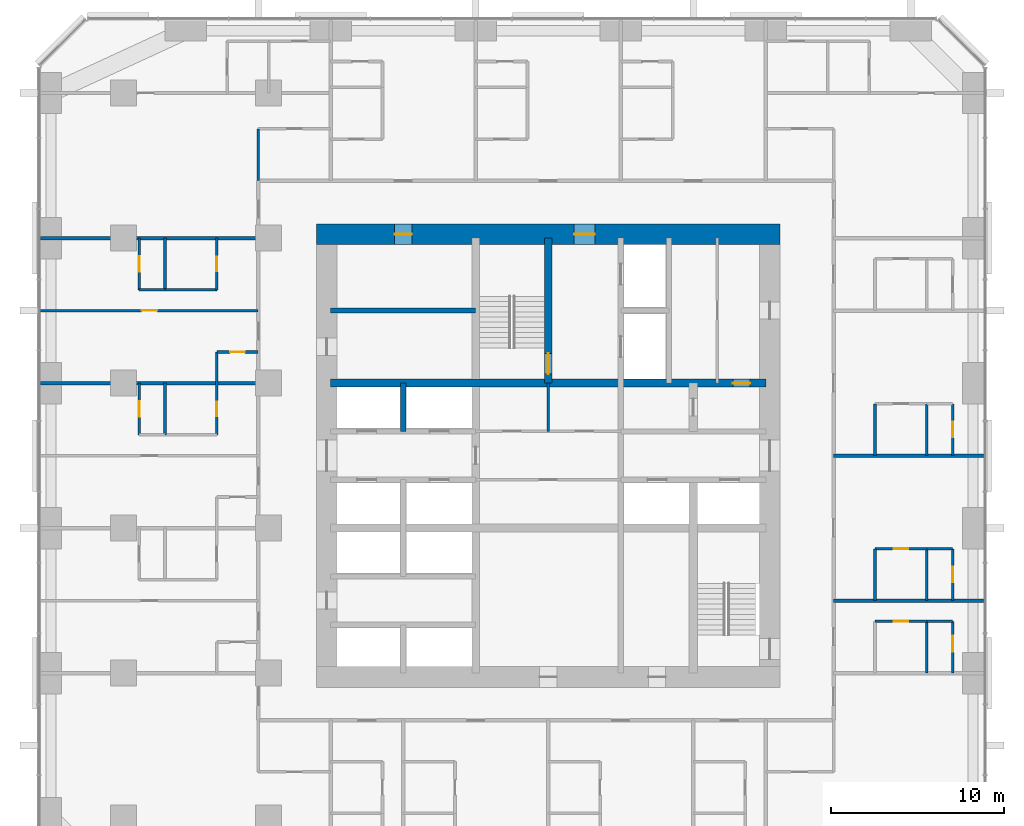
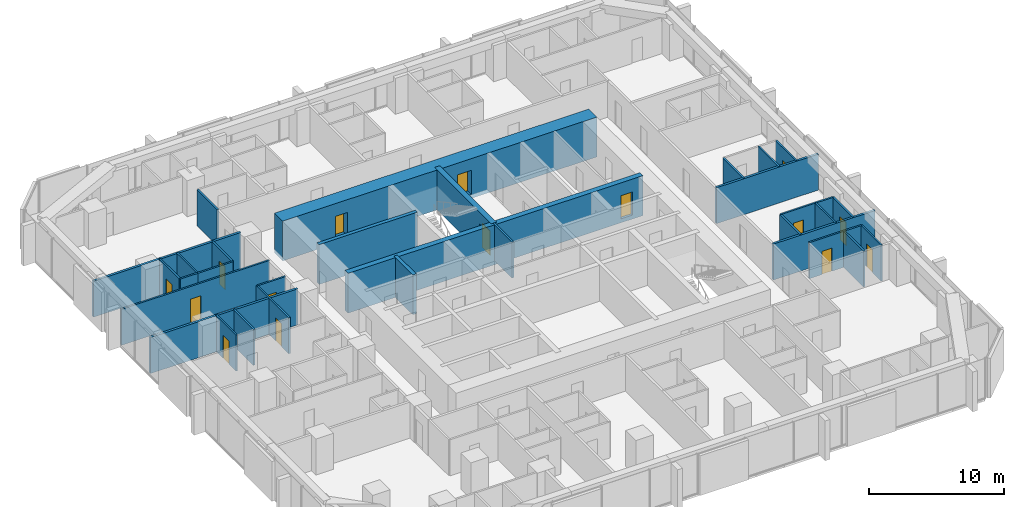
# One storey, part 11 of 14: 33 walls, 15 doors, 15 openings.
"""IFC4 building model written with IfcOpenShell, lengths in metres."""

import ifcopenshell
import ifcopenshell.guid

model = None  # the IFC model being written
_history = None  # IfcOwnerHistory: only IFC2X3 demands one
_inside = {}  # id of a spatial element -> (the spatial element, [elements in it])
_under = {}  # id of a project, library or spatial element -> (it, [spatial elements below it])
_declared = {}  # id of a project -> (the project, [libraries it declares])
_typed = {}  # id of a type object -> (the type object, [elements of that type])
_made_of = {}  # id of a material, layer set ... -> (it, [elements and type objects made of it])


def new_model(schema):
    """Start an empty IFC model of exactly this schema.

    Asked for "IFC4X3", IfcOpenShell would pick the latest addendum, in which some entities
    have other attributes; the version numbers below select the first issue.
    IFC2X3 requires an IfcOwnerHistory on every rooted entity: one is made here for all.
    """
    global model, _history
    if schema == "IFC4X3":
        model = ifcopenshell.file(schema_version=(4, 3, 0, 0))
    else:
        model = ifcopenshell.file(schema=schema)
    _inside.clear()
    _under.clear()
    _declared.clear()
    _typed.clear()
    _made_of.clear()
    _history = None
    if model.schema == "IFC2X3":
        org = make("IfcOrganization", Name="unknown")
        user = make(
            "IfcPersonAndOrganization",
            ThePerson=make("IfcPerson", FamilyName="unknown"),
            TheOrganization=org,
        )
        app = make(
            "IfcApplication",
            ApplicationDeveloper=org,
            Version="unknown",
            ApplicationFullName="unknown",
            ApplicationIdentifier="unknown",
        )
        _history = make(
            "IfcOwnerHistory",
            OwningUser=user,
            OwningApplication=app,
            ChangeAction="ADDED",
            CreationDate=0,
        )
    return model


def make(cls, **values):
    """One entity of the class cls with the attributes given. An attribute that is None is left unset."""
    return model.create_entity(
        cls, **{name: value for name, value in values.items() if value is not None}
    )


def rooted(cls, **values):
    """An entity with a GlobalId (a new one), such as an element, a storey or a relation."""
    return make(cls, GlobalId=ifcopenshell.guid.new(), OwnerHistory=_history, **values)


def si_unit(unit_type, name, prefix=None):
    """IfcSIUnit, for example si_unit("LENGTHUNIT", "METRE", prefix="MILLI")."""
    return make("IfcSIUnit", UnitType=unit_type, Prefix=prefix, Name=name)


def assignment(units):
    """IfcUnitAssignment: the units of a project."""
    return None if units is None else make("IfcUnitAssignment", Units=units)


def point(xyz):
    """IfcCartesianPoint."""
    return None if xyz is None else make("IfcCartesianPoint", Coordinates=xyz)


def direction(xyz):
    """IfcDirection."""
    return None if xyz is None else make("IfcDirection", DirectionRatios=xyz)


def frame(location, z_axis=None, x_axis=None):
    """IfcAxis2Placement3D, a coordinate frame: its origin and axes. An axis left out is left unset."""
    return make(
        "IfcAxis2Placement3D",
        Location=point(location),
        Axis=direction(z_axis),
        RefDirection=direction(x_axis),
    )


def frame_2d(location, x_axis=None):
    """IfcAxis2Placement2D, a coordinate frame in the plane: its origin and x axis."""
    return make(
        "IfcAxis2Placement2D", Location=point(location), RefDirection=direction(x_axis)
    )


def origin():
    """The frame at (0, 0, 0) with its axes left unset."""
    return frame((0.0, 0.0, 0.0))


def place(relative_to, where):
    """IfcLocalPlacement: puts the frame where relative to a parent placement (None: the world)."""
    return make(
        "IfcLocalPlacement", PlacementRelTo=relative_to, RelativePlacement=where
    )


def context(
    kind, dimensions, precision=None, world=None, true_north=None, identifier=None
):
    """IfcGeometricRepresentationContext, for example the 3D "Model" context."""
    return make(
        "IfcGeometricRepresentationContext",
        ContextIdentifier=identifier,
        ContextType=kind,
        CoordinateSpaceDimension=dimensions,
        Precision=precision,
        WorldCoordinateSystem=world,
        TrueNorth=true_north,
    )


def subcontext(parent, identifier, kind, view, scale=None):
    """IfcGeometricRepresentationSubContext, for example "Body" below "Model"."""
    return make(
        "IfcGeometricRepresentationSubContext",
        ContextIdentifier=identifier,
        ContextType=kind,
        ParentContext=parent,
        TargetScale=scale,
        TargetView=view,
    )


def project(units=None, contexts=None):
    """IfcProject with its units and contexts."""
    return rooted(
        "IfcProject",
        Name="project",
        RepresentationContexts=contexts,
        UnitsInContext=assignment(units),
    )


def spatial(cls, under=None, at=None, **own):
    """A site, building, storey or space (cls), placed at a placement, below another one or the project."""
    s = rooted(cls, ObjectPlacement=at, **own)
    if under is not None:
        _under.setdefault(under.id(), (under, []))[1].append(s)
    return s


def profile(cls, at=None, kind="AREA", **sizes):
    """A parametric profile (cls). Its sizes go by their IFC names, for example OverallWidth=200.0."""
    return make(cls, ProfileType=kind, Position=at, **sizes)


def rectangle(**sizes):
    """IfcRectangleProfileDef."""
    return profile("IfcRectangleProfileDef", **sizes)


def extrude(swept, where, along, depth):
    """IfcExtrudedAreaSolid: the profile swept, set in the frame where, extruded along a direction by depth."""
    return make(
        "IfcExtrudedAreaSolid",
        SweptArea=swept,
        Position=where,
        ExtrudedDirection=direction(along),
        Depth=depth,
    )


def shape(context_of_items, identifier, shape_type, items):
    """IfcShapeRepresentation: the items that make up one representation, for example the "Body"."""
    return make(
        "IfcShapeRepresentation",
        ContextOfItems=context_of_items,
        RepresentationIdentifier=identifier,
        RepresentationType=shape_type,
        Items=items,
    )


def material(Name=None, Category=None):
    """IfcMaterial."""
    return make("IfcMaterial", Name=Name, Category=Category)


def layer(
    of_material, thickness, ventilated=None, Name=None, Category=None, Priority=None
):
    """IfcMaterialLayer: one layer of a wall or slab, of a material (None: an air gap)."""
    return make(
        "IfcMaterialLayer",
        Material=of_material,
        LayerThickness=thickness,
        IsVentilated=ventilated,
        Name=Name,
        Category=Category,
        Priority=Priority,
    )


def layer_set(layers, Name=None):
    """IfcMaterialLayerSet."""
    return make("IfcMaterialLayerSet", MaterialLayers=layers, LayerSetName=Name)


def made_of(thing, what):
    """Note that an element or type object is made of a material, layer set ...; save() writes the relation."""
    if what is not None:
        _made_of.setdefault(what.id(), (what, []))[1].append(thing)
    return thing


def type_object(cls, material=None, **own):
    """A type object (cls), such as IfcWallType, which elements share."""
    return made_of(rooted(cls, **own), material)


def element(
    cls,
    number,
    at=None,
    inside=None,
    cuts=None,
    type_object=None,
    material=None,
    context=None,
    identifier="Body",
    shape_type=None,
    held_by="IfcProductDefinitionShape",
    body=None,
    shapes=None,
    **own,
):
    """One element of the class cls, such as IfcWall. Its Tag is "e" and its number.

    at: its placement. inside: the storey or other place that contains it. cuts: it is an
    opening in that element (IfcRelVoidsElement). A single representation is given by context,
    identifier, shape_type and body (its items); several are given by shapes. held_by: the class
    of the entity that holds the representations. save() writes the other relations.
    """
    e = rooted(cls, Tag="e%d" % number, ObjectPlacement=at, **own)
    if body is not None:
        shapes = [shape(context, identifier, shape_type, body)]
    if shapes is not None:
        e.Representation = make(held_by, Representations=shapes)
    if inside is not None:
        _inside.setdefault(inside.id(), (inside, []))[1].append(e)
    if cuts is not None:
        rooted(
            "IfcRelVoidsElement", RelatingBuildingElement=cuts, RelatedOpeningElement=e
        )
    if type_object is not None:
        _typed.setdefault(type_object.id(), (type_object, []))[1].append(e)
    return made_of(e, material)


def fill(opening, filler):
    """IfcRelFillsElement: the door or window that sits in an opening."""
    return rooted(
        "IfcRelFillsElement",
        RelatingOpeningElement=opening,
        RelatedBuildingElement=filler,
    )


def aggregate(whole, parts):
    """IfcRelAggregates: a whole, such as a stair, and the parts it consists of."""
    return rooted("IfcRelAggregates", RelatingObject=whole, RelatedObjects=parts)


def save(model, path):
    """Write the relations noted so far, then the file.

    IfcRelAggregates (storeys below a building ...), IfcRelContainedInSpatialStructure (elements
    in a storey), IfcRelDefinesByType, IfcRelAssociatesMaterial and IfcRelDeclares: one each for
    every whole, place, type object, material and project.
    """
    for whole, parts in _under.values():
        aggregate(whole, parts)
    for where, things in _inside.values():
        rooted(
            "IfcRelContainedInSpatialStructure",
            RelatedElements=things,
            RelatingStructure=where,
        )
    for kind, things in _typed.values():
        rooted("IfcRelDefinesByType", RelatedObjects=things, RelatingType=kind)
    for what, things in _made_of.values():
        rooted("IfcRelAssociatesMaterial", RelatedObjects=things, RelatingMaterial=what)
    for by, libraries in _declared.values():
        rooted("IfcRelDeclares", RelatingContext=by, RelatedDefinitions=libraries)
    model.write(path)


model = new_model("IFC4")

# Units and contexts
model_context = context("Model", 3, precision=1e-05, world=origin(), true_north=direction((0.0, 1.0)))
body_context = subcontext(model_context, "Body", "Model", "MODEL_VIEW")
ifc_project = project(units=[si_unit("LENGTHUNIT", "METRE"), si_unit("AREAUNIT", "SQUARE_METRE"), si_unit("VOLUMEUNIT", "CUBIC_METRE"), si_unit("PLANEANGLEUNIT", "RADIAN"), si_unit("MASSUNIT", "GRAM", prefix="KILO")], contexts=[model_context])

# Site, building, storey
site_placement = place(None, origin())
site = spatial("IfcSite", under=ifc_project, at=site_placement, CompositionType="ELEMENT")
building_placement = place(site_placement, origin())
building = spatial("IfcBuilding", under=site, at=building_placement, Name="Dunama Terrace Hotel", CompositionType="ELEMENT")
storey_placement = place(building_placement, frame((0.0, 0.0, 104.39990234375)))
storey = spatial("IfcBuildingStorey", under=building, at=storey_placement, Name="L26", CompositionType="ELEMENT", Elevation=104.39990234375)

# Wall, opening, door
ifc_material_1 = material(Name="Gypsum board partition", Category="masonry")
ifc_layer_1 = layer(ifc_material_1, 0.14990234375)
ifc_layer_set_1 = layer_set([ifc_layer_1], Name="Bathroom partition 150")
wall_type_1 = type_object("IfcWallType", Name="Bathroom partition 150", PredefinedType="PARTITIONING", material=ifc_layer_set_1)
wall_1_placement = place(storey_placement, frame((10.199951171875, 30.60009765625, 0.0), z_axis=(0.0, 0.0, 1.0), x_axis=(0.0, 1.0, 0.0)))
wall_1 = element("IfcWall", 1, at=wall_1_placement, inside=storey, type_object=wall_type_1, Name="Bathroom partition 150 L26", PredefinedType="PARTITIONING", context=body_context, shape_type="SweptSolid", body=[
    extrude(rectangle(XDim=4.7998046875, YDim=0.14990234375, at=frame_2d((2.39990234375, 0.0))), origin(), (0.0, 0.0, 1.0), 3.25),
])
opening_1_placement = place(wall_1_placement, frame((1.074951171875, 0.0, 0.0)))
opening_1 = element("IfcOpeningElement", 2, at=opening_1_placement, cuts=wall_1, Name="Opening L25-27-052", PredefinedType="OPENING", context=body_context, shape_type="SweptSolid", body=[
    extrude(rectangle(XDim=0.85009765625, YDim=2.10009765625, at=frame_2d((0.425048828125, 1.050048828125))), frame((0.0, 0.0849609375, 0.0), z_axis=(0.0, -1.0, 0.0), x_axis=(1.0, 0.0, 0.0)), (0.0, 0.0, 1.0), 0.169921875),
])
ifc_material_2 = material(Name="Timber door with steel frame", Category="steel")
door_type_1 = type_object("IfcDoorType", Name="Bathroom door 850", OperationType="SINGLE_SWING_LEFT", PredefinedType="DOOR", material=ifc_material_2)
door_1_placement = place(opening_1_placement, origin())
door_1 = element("IfcDoor", 3, at=door_1_placement, inside=storey, type_object=door_type_1, Name="Door to en-suite bathroom L25-27-052, type D2", OperationType="SINGLE_SWING_RIGHT", OverallHeight=2.10009765625, OverallWidth=0.85009765625, PredefinedType="DOOR", context=body_context, shape_type="SweptSolid", body=[
    extrude(rectangle(XDim=0.85009765625, YDim=2.10009765625, at=frame_2d((0.425048828125, 1.050048828125))), frame((0.0, 0.02490234375, 0.0), z_axis=(0.0, -1.0, 0.0), x_axis=(1.0, 0.0, 0.0)), (0.0, 0.0, 1.0), 0.050048828125),
])
fill(opening_1, door_1)

wall_2_placement = place(storey_placement, frame((10.199951171875, 39.0, 0.0), z_axis=(0.0, 0.0, 1.0), x_axis=(0.0, 1.0, 0.0)))
wall_2 = element("IfcWall", 4, at=wall_2_placement, inside=storey, type_object=wall_type_1, Name="Bathroom partition 150 L26", PredefinedType="PARTITIONING", context=body_context, shape_type="SweptSolid", body=[
    extrude(rectangle(XDim=3.0, YDim=0.14990234375, at=frame_2d((1.5, 0.0))), origin(), (0.0, 0.0, 1.0), 3.25),
])
opening_2_placement = place(wall_2_placement, frame((1.074951171875, 0.0, 0.0)))
opening_2 = element("IfcOpeningElement", 5, at=opening_2_placement, cuts=wall_2, Name="Opening L25-27-057", PredefinedType="OPENING", context=body_context, shape_type="SweptSolid", body=[
    extrude(rectangle(XDim=0.85009765625, YDim=2.10009765625, at=frame_2d((0.425048828125, 1.050048828125))), frame((0.0, 0.0849609375, 0.0), z_axis=(0.0, -1.0, 0.0), x_axis=(1.0, 0.0, 0.0)), (0.0, 0.0, 1.0), 0.169921875),
])
door_2_placement = place(opening_2_placement, origin())
door_2 = element("IfcDoor", 6, at=door_2_placement, inside=storey, type_object=door_type_1, Name="Door to en-suite bathroom L25-27-057, type D2", OperationType="SINGLE_SWING_RIGHT", OverallHeight=2.10009765625, OverallWidth=0.85009765625, PredefinedType="DOOR", context=body_context, shape_type="SweptSolid", body=[
    extrude(rectangle(XDim=0.85009765625, YDim=2.10009765625, at=frame_2d((0.425048828125, 1.050048828125))), frame((0.0, 0.02490234375, 0.0), z_axis=(0.0, -1.0, 0.0), x_axis=(1.0, 0.0, 0.0)), (0.0, 0.0, 1.0), 0.050048828125),
])
fill(opening_2, door_2)

# Walls
for number, where, z_axis, x_axis, name in (
    (7, (12.60009765625, 45.324951171875, 0.0), (0.0, 0.0, 1.0), (0.0, 1.0, 0.0), "Bathroom partition 150 L26"),
    (8, (48.324951171875, 21.0, 0.0), (0.0, 0.0, 1.0), (0.0, 1.0, 0.0), "Bathroom partition 150 L26"),
    (9, (48.324951171875, 29.39990234375, 0.0), (0.0, 0.0, 1.0), (0.0, 1.0, 0.0), "Bathroom partition 150 L26"),
):
    element("IfcWall", number, at=place(storey_placement, frame(where, z_axis=z_axis, x_axis=x_axis)), inside=storey, type_object=wall_type_1, Name=name, PredefinedType="PARTITIONING", context=body_context, shape_type="SweptSolid", body=[
        extrude(rectangle(XDim=3.0, YDim=0.14990234375, at=frame_2d((1.5, 0.0))), origin(), (0.0, 0.0, 1.0), 3.25),
    ])

# Wall, opening, door
wall_3_placement = place(storey_placement, frame((48.324951171875, 19.800048828125, 0.0), z_axis=(0.0, 0.0, 1.0), x_axis=(1.0, 0.0, 0.0)))
wall_3 = element("IfcWall", 10, at=wall_3_placement, inside=storey, type_object=wall_type_1, Name="Bathroom partition 150 L26", PredefinedType="PARTITIONING", context=body_context, shape_type="SweptSolid", body=[
    extrude(rectangle(XDim=3.0, YDim=0.14990234375, at=frame_2d((1.5, 0.0))), origin(), (0.0, 0.0, 1.0), 3.25),
])
opening_3_placement = place(wall_3_placement, frame((1.074951171875, 0.0, 0.0)))
opening_3 = element("IfcOpeningElement", 11, at=opening_3_placement, cuts=wall_3, Name="Opening L25-27-024", PredefinedType="OPENING", context=body_context, shape_type="SweptSolid", body=[
    extrude(rectangle(XDim=0.85009765625, YDim=2.10009765625, at=frame_2d((0.425048828125, 1.050048828125))), frame((0.0, 0.0849609375, 0.0), z_axis=(0.0, -1.0, 0.0), x_axis=(1.0, 0.0, 0.0)), (0.0, 0.0, 1.0), 0.169921875),
])
door_3_placement = place(opening_3_placement, frame((0.85009765625, 0.0, 0.0), z_axis=(0.0, 0.0, 1.0), x_axis=(-1.0, 0.0, 0.0)))
door_3 = element("IfcDoor", 12, at=door_3_placement, inside=storey, type_object=door_type_1, Name="Door to en-suite bathroom L25-27-024, type D2", OperationType="SINGLE_SWING_LEFT", OverallHeight=2.10009765625, OverallWidth=0.85009765625, PredefinedType="DOOR", context=body_context, shape_type="SweptSolid", body=[
    extrude(rectangle(XDim=0.85009765625, YDim=2.10009765625, at=frame_2d((0.425048828125, 1.050048828125))), frame((0.0, 0.025146484375, 0.0), z_axis=(0.0, -1.0, 0.0), x_axis=(1.0, 0.0, 0.0)), (0.0, 0.0, 1.0), 0.050048828125),
])
fill(opening_3, door_3)

wall_4_placement = place(storey_placement, frame((48.324951171875, 24.0, 0.0), z_axis=(0.0, 0.0, 1.0), x_axis=(1.0, 0.0, 0.0)))
wall_4 = element("IfcWall", 13, at=wall_4_placement, inside=storey, type_object=wall_type_1, Name="Bathroom partition 150 L26", PredefinedType="PARTITIONING", context=body_context, shape_type="SweptSolid", body=[
    extrude(rectangle(XDim=3.0, YDim=0.14990234375, at=frame_2d((1.5, 0.0))), origin(), (0.0, 0.0, 1.0), 3.25),
])
opening_4_placement = place(wall_4_placement, frame((1.074951171875, 0.0, 0.0)))
opening_4 = element("IfcOpeningElement", 14, at=opening_4_placement, cuts=wall_4, Name="Opening L25-27-027", PredefinedType="OPENING", context=body_context, shape_type="SweptSolid", body=[
    extrude(rectangle(XDim=0.85009765625, YDim=2.10009765625, at=frame_2d((0.425048828125, 1.050048828125))), frame((0.0, 0.0849609375, 0.0), z_axis=(0.0, -1.0, 0.0), x_axis=(1.0, 0.0, 0.0)), (0.0, 0.0, 1.0), 0.169921875),
])
door_4_placement = place(opening_4_placement, frame((0.85009765625, 0.0, 0.0), z_axis=(0.0, 0.0, 1.0), x_axis=(-1.0, 0.0, 0.0)))
door_4 = element("IfcDoor", 15, at=door_4_placement, inside=storey, type_object=door_type_1, Name="Door to en-suite bathroom L25-27-027, type D2", OperationType="SINGLE_SWING_LEFT", OverallHeight=2.10009765625, OverallWidth=0.85009765625, PredefinedType="DOOR", context=body_context, shape_type="SweptSolid", body=[
    extrude(rectangle(XDim=0.85009765625, YDim=2.10009765625, at=frame_2d((0.425048828125, 1.050048828125))), frame((0.0, 0.025146484375, 0.0), z_axis=(0.0, -1.0, 0.0), x_axis=(1.0, 0.0, 0.0)), (0.0, 0.0, 1.0), 0.050048828125),
])
fill(opening_4, door_4)

wall_5_placement = place(storey_placement, frame((10.199951171875, 35.39990234375, 0.0), z_axis=(0.0, 0.0, 1.0), x_axis=(1.0, 0.0, 0.0)))
wall_5 = element("IfcWall", 16, at=wall_5_placement, inside=storey, type_object=wall_type_1, Name="Bathroom partition 150 L26", PredefinedType="PARTITIONING", context=body_context, shape_type="SweptSolid", body=[
    extrude(rectangle(XDim=2.400146484375, YDim=0.14990234375, at=frame_2d((1.2001953125, 0.0))), origin(), (0.0, 0.0, 1.0), 3.25),
])
opening_5_placement = place(wall_5_placement, frame((0.77490234375, 0.0, 0.0)))
opening_5 = element("IfcOpeningElement", 17, at=opening_5_placement, cuts=wall_5, Name="Opening L25-27-055", PredefinedType="OPENING", context=body_context, shape_type="SweptSolid", body=[
    extrude(rectangle(XDim=0.85009765625, YDim=2.10009765625, at=frame_2d((0.425048828125, 1.050048828125))), frame((0.0, 0.0849609375, 0.0), z_axis=(0.0, -1.0, 0.0), x_axis=(1.0, 0.0, 0.0)), (0.0, 0.0, 1.0), 0.169921875),
])
door_5_placement = place(opening_5_placement, frame((0.85009765625, 0.0, 0.0), z_axis=(0.0, 0.0, 1.0), x_axis=(-1.0, 0.0, 0.0)))
door_5 = element("IfcDoor", 18, at=door_5_placement, inside=storey, type_object=door_type_1, Name="Door to powder room L25-27-055, type D2", OperationType="SINGLE_SWING_LEFT", OverallHeight=2.10009765625, OverallWidth=0.85009765625, PredefinedType="DOOR", context=body_context, shape_type="SweptSolid", body=[
    extrude(rectangle(XDim=0.85009765625, YDim=2.10009765625, at=frame_2d((0.425048828125, 1.050048828125))), frame((0.0, 0.025146484375, 0.0), z_axis=(0.0, -1.0, 0.0), x_axis=(1.0, 0.0, 0.0)), (0.0, 0.0, 1.0), 0.050048828125),
])
fill(opening_5, door_5)

# Walls
wall_6_placement = place(storey_placement, frame((7.199951171875, 39.0, 0.0), z_axis=(0.0, 0.0, 1.0), x_axis=(1.0, 0.0, 0.0)))
element("IfcWall", 19, at=wall_6_placement, inside=storey, type_object=wall_type_1, Name="Bathroom partition 150 L26", PredefinedType="PARTITIONING", context=body_context, shape_type="SweptSolid", body=[
    extrude(rectangle(XDim=3.0, YDim=0.14990234375, at=frame_2d((1.5, 0.0))), origin(), (0.0, 0.0, 1.0), 3.25),
])
ifc_material_3 = material(Name="Concrete C50/60", Category="concrete")
ifc_layer_2 = layer(ifc_material_3, 0.300048828125)
ifc_layer_set_2 = layer_set([ifc_layer_2], Name="Core inner wall 300")
wall_type_2 = type_object("IfcWallType", Name="Core inner wall 300", PredefinedType="SHEAR", material=ifc_layer_set_2)
wall_7_placement = place(storey_placement, frame((21.0, 30.800048828125, -0.349853515625), z_axis=(0.0, 0.0, 1.0), x_axis=(0.0, 1.0, 0.0)))
element("IfcWall", 20, at=wall_7_placement, inside=storey, type_object=wall_type_2, Name="Core inner wall 300 L26", PredefinedType="SHEAR", context=body_context, shape_type="SweptSolid", body=[
    extrude(rectangle(XDim=2.800048828125, YDim=0.300048828125, at=frame_2d((1.39990234375, 0.0))), origin(), (0.0, 0.0, 1.0), 3.599853515625),
])
wall_8_placement = place(storey_placement, frame((16.800048828125, 37.800048828125, -0.349853515625), z_axis=(0.0, 0.0, 1.0), x_axis=(1.0, 0.0, 0.0)))
element("IfcWall", 21, at=wall_8_placement, inside=storey, type_object=wall_type_2, Name="Core inner wall 300 L26", PredefinedType="SHEAR", context=body_context, shape_type="SweptSolid", body=[
    extrude(rectangle(XDim=8.39990234375, YDim=0.300048828125, at=frame_2d((4.199951171875, 0.0))), origin(), (0.0, 0.0, 1.0), 3.599853515625),
])

# Wall, opening, door
ifc_material_4 = material(Name="Concrete C50/60", Category="concrete")
ifc_layer_3 = layer(ifc_material_4, 0.449951171875)
ifc_layer_set_3 = layer_set([ifc_layer_3], Name="Core inner wall 450")
wall_type_3 = type_object("IfcWallType", Name="Core inner wall 450", PredefinedType="SHEAR", material=ifc_layer_set_3)
wall_9_placement = place(storey_placement, frame((29.39990234375, 33.60009765625, -0.349853515625), z_axis=(0.0, 0.0, 1.0), x_axis=(0.0, 1.0, 0.0)))
wall_9 = element("IfcWall", 22, at=wall_9_placement, inside=storey, type_object=wall_type_3, Name="Core inner wall 450 L26", PredefinedType="SHEAR", context=body_context, shape_type="SweptSolid", body=[
    extrude(rectangle(XDim=8.39990234375, YDim=0.449951171875, at=frame_2d((4.199951171875, 0.0))), origin(), (0.0, 0.0, 1.0), 3.599853515625),
])
opening_6_placement = place(wall_9_placement, frame((0.52490234375, 0.0, 0.35009765625)))
opening_6 = element("IfcOpeningElement", 23, at=opening_6_placement, cuts=wall_9, Name="Opening L25-27-001", PredefinedType="OPENING", context=body_context, shape_type="SweptSolid", body=[
    extrude(rectangle(XDim=1.199951171875, YDim=2.199951171875, at=frame_2d((0.60009765625, 1.10009765625))), frame((0.0, 0.23486328125, 0.0), z_axis=(0.0, -1.0, 0.0), x_axis=(1.0, 0.0, 0.0)), (0.0, 0.0, 1.0), 0.469970703125),
])
ifc_material_5 = material(Name="Timber door with steel frame", Category="steel")
door_type_2 = type_object("IfcDoorType", Name="Stair door 1200", OperationType="SINGLE_SWING_LEFT", PredefinedType="DOOR", material=ifc_material_5)
door_6_placement = place(opening_6_placement, origin())
door_6 = element("IfcDoor", 24, at=door_6_placement, inside=storey, type_object=door_type_2, Name="Stair door ST1 L25-27-001, type D5", OperationType="SINGLE_SWING_LEFT", OverallHeight=2.199951171875, OverallWidth=1.199951171875, PredefinedType="DOOR", context=body_context, shape_type="SweptSolid", body=[
    extrude(rectangle(XDim=1.199951171875, YDim=2.199951171875, at=frame_2d((0.60009765625, 1.10009765625))), frame((0.0, 0.02490234375, 0.0), z_axis=(0.0, -1.0, 0.0), x_axis=(1.0, 0.0, 0.0)), (0.0, 0.0, 1.0), 0.050048828125),
])
fill(opening_6, door_6)

wall_10_placement = place(storey_placement, frame((16.800048828125, 33.60009765625, -0.349853515625), z_axis=(0.0, 0.0, 1.0), x_axis=(1.0, 0.0, 0.0)))
wall_10 = element("IfcWall", 25, at=wall_10_placement, inside=storey, type_object=wall_type_3, Name="Core inner wall 450 L26", PredefinedType="SHEAR", context=body_context, shape_type="SweptSolid", body=[
    extrude(rectangle(XDim=25.199951171875, YDim=0.449951171875, at=frame_2d((12.60009765625, 0.0))), origin(), (0.0, 0.0, 1.0), 3.599853515625),
])
opening_7_placement = place(wall_10_placement, frame((23.300048828125, 0.0, 0.35009765625)))
opening_7 = element("IfcOpeningElement", 26, at=opening_7_placement, cuts=wall_10, Name="Opening L25-27-088", PredefinedType="OPENING", context=body_context, shape_type="SweptSolid", body=[
    extrude(rectangle(XDim=1.0, YDim=2.10009765625, at=frame_2d((0.5, 1.050048828125))), frame((0.0, 0.23486328125, 0.0), z_axis=(0.0, -1.0, 0.0), x_axis=(1.0, 0.0, 0.0)), (0.0, 0.0, 1.0), 0.469970703125),
])
ifc_material_6 = material(Name="Timber door with steel frame", Category="steel")
door_type_3 = type_object("IfcDoorType", Name="Service door 1000", OperationType="SINGLE_SWING_LEFT", PredefinedType="DOOR", material=ifc_material_6)
door_7_placement = place(opening_7_placement, frame((1.0, 0.0, 0.0), z_axis=(0.0, 0.0, 1.0), x_axis=(-1.0, 0.0, 0.0)))
door_7 = element("IfcDoor", 27, at=door_7_placement, inside=storey, type_object=door_type_3, Name="Door to housekeeping and linen store L25-27-088, type D7", OperationType="SINGLE_SWING_LEFT", OverallHeight=2.10009765625, OverallWidth=1.0, PredefinedType="DOOR", context=body_context, shape_type="SweptSolid", body=[
    extrude(rectangle(XDim=1.0, YDim=2.10009765625, at=frame_2d((0.5, 1.050048828125))), frame((0.0, 0.025146484375, 0.0), z_axis=(0.0, -1.0, 0.0), x_axis=(1.0, 0.0, 0.0)), (0.0, 0.0, 1.0), 0.050048828125),
])
fill(opening_7, door_7)

# Wall, openings, doors
ifc_material_7 = material(Name="Concrete C60/75", Category="concrete")
ifc_layer_4 = layer(ifc_material_7, 1.199951171875)
ifc_layer_set_4 = layer_set([ifc_layer_4], Name="Core wall 1200")
wall_type_4 = type_object("IfcWallType", Name="Core wall 1200", PredefinedType="SHEAR", material=ifc_layer_set_4)
wall_11_placement = place(storey_placement, frame((42.824951171875, 42.22509765625, -0.349853515625), z_axis=(0.0, 0.0, 1.0), x_axis=(-1.0, 0.0, 0.0)))
wall_11 = element("IfcWall", 28, at=wall_11_placement, inside=storey, type_object=wall_type_4, Name="Core wall north L26", PredefinedType="SHEAR", context=body_context, shape_type="SweptSolid", body=[
    extrude(rectangle(XDim=26.849853515625, YDim=1.199951171875, at=frame_2d((13.4248046875, 0.0))), origin(), (0.0, 0.0, 1.0), 3.599853515625),
])
opening_8_placement = place(wall_11_placement, frame((21.324951171875, 0.0, 0.35009765625)))
opening_8 = element("IfcOpeningElement", 29, at=opening_8_placement, cuts=wall_11, Name="Opening L25-27-082", PredefinedType="OPENING", context=body_context, shape_type="SweptSolid", body=[
    extrude(rectangle(XDim=1.0, YDim=2.10009765625, at=frame_2d((0.5, 1.050048828125))), frame((0.0, 0.60986328125, 0.0), z_axis=(0.0, -1.0, 0.0), x_axis=(1.0, 0.0, 0.0)), (0.0, 0.0, 1.0), 1.219970703125),
])
opening_9_placement = place(wall_11_placement, frame((10.72509765625, 0.0, 0.35009765625)))
opening_9 = element("IfcOpeningElement", 30, at=opening_9_placement, cuts=wall_11, Name="Opening L25-27-090", PredefinedType="OPENING", context=body_context, shape_type="SweptSolid", body=[
    extrude(rectangle(XDim=1.199951171875, YDim=2.199951171875, at=frame_2d((0.60009765625, 1.10009765625))), frame((0.0, 0.60986328125, 0.0), z_axis=(0.0, -1.0, 0.0), x_axis=(1.0, 0.0, 0.0)), (0.0, 0.0, 1.0), 1.219970703125),
])
ifc_material_8 = material(Name="Timber door with steel frame", Category="steel")
door_type_4 = type_object("IfcDoorType", Name="Firefighting lobby door 1200", OperationType="SINGLE_SWING_LEFT", PredefinedType="DOOR", material=ifc_material_8)
door_8_placement = place(opening_9_placement, origin())
door_8 = element("IfcDoor", 31, at=door_8_placement, inside=storey, type_object=door_type_4, Name="Door to firefighting lobby L25-27-090, type D4", OperationType="SINGLE_SWING_RIGHT", OverallHeight=2.199951171875, OverallWidth=1.199951171875, PredefinedType="DOOR", context=body_context, shape_type="SweptSolid", body=[
    extrude(rectangle(XDim=1.199951171875, YDim=2.199951171875, at=frame_2d((0.60009765625, 1.10009765625))), frame((0.0, 0.02490234375, 0.0), z_axis=(0.0, -1.0, 0.0), x_axis=(1.0, 0.0, 0.0)), (0.0, 0.0, 1.0), 0.050048828125),
])
fill(opening_9, door_8)
door_9_placement = place(opening_8_placement, origin())
door_9 = element("IfcDoor", 32, at=door_9_placement, inside=storey, type_object=door_type_3, Name="Door to communications and riser room L25-27-082, type D7", OperationType="SINGLE_SWING_LEFT", OverallHeight=2.10009765625, OverallWidth=1.0, PredefinedType="DOOR", context=body_context, shape_type="SweptSolid", body=[
    extrude(rectangle(XDim=1.0, YDim=2.10009765625, at=frame_2d((0.5, 1.050048828125))), frame((0.0, 0.02490234375, 0.0), z_axis=(0.0, -1.0, 0.0), x_axis=(1.0, 0.0, 0.0)), (0.0, 0.0, 1.0), 0.050048828125),
])
fill(opening_8, door_9)

# Walls
ifc_material_9 = material(Name="Concrete blockwork", Category="masonry")
ifc_layer_5 = layer(ifc_material_9, 0.199951171875)
ifc_layer_set_5 = layer_set([ifc_layer_5], Name="Party wall 200")
wall_type_5 = type_object("IfcWallType", Name="Party wall 200", PredefinedType="PARTITIONING", material=ifc_layer_set_5)
for number, where, z_axis, x_axis, name in (
    (33, (45.925048828125, 21.0, 0.0), (0.0, 0.0, 1.0), (1.0, 0.0, 0.0), "Party wall 200 L26"),
    (34, (45.925048828125, 29.39990234375, 0.0), (0.0, 0.0, 1.0), (1.0, 0.0, 0.0), "Party wall 200 L26"),
):
    element("IfcWall", number, at=place(storey_placement, frame(where, z_axis=z_axis, x_axis=x_axis)), inside=storey, type_object=wall_type_5, Name=name, PredefinedType="PARTITIONING", context=body_context, shape_type="SweptSolid", body=[
        extrude(rectangle(XDim=8.69287109375, YDim=0.199951171875, at=frame_2d((4.346435546875, 0.0))), origin(), (0.0, 0.0, 1.0), 3.25),
    ])
for number, where, z_axis, x_axis, name in (
    (35, (-0.01806640625, 33.60009765625, 0.0), (0.0, 0.0, 1.0), (1.0, 0.0, 0.0), "Party wall 200 L26"),
    (36, (-0.01806640625, 42.0, 0.0), (0.0, 0.0, 1.0), (1.0, 0.0, 0.0), "Party wall 200 L26"),
):
    element("IfcWall", number, at=place(storey_placement, frame(where, z_axis=z_axis, x_axis=x_axis)), inside=storey, type_object=wall_type_5, Name=name, PredefinedType="PARTITIONING", context=body_context, shape_type="SweptSolid", body=[
        extrude(rectangle(XDim=12.6181640625, YDim=0.199951171875, at=frame_2d((6.30908203125, 0.0))), origin(), (0.0, 0.0, 1.0), 3.25),
    ])

# Wall, opening, door
ifc_material_10 = material(Name="Gypsum board partition", Category="masonry")
ifc_layer_6 = layer(ifc_material_10, 0.14990234375)
ifc_layer_set_6 = layer_set([ifc_layer_6], Name="Room partition 150")
wall_type_6 = type_object("IfcWallType", Name="Room partition 150", PredefinedType="PARTITIONING", material=ifc_layer_set_6)
wall_12_placement = place(storey_placement, frame((5.699951171875, 30.60009765625, 0.0), z_axis=(0.0, 0.0, 1.0), x_axis=(0.0, 1.0, 0.0)))
wall_12 = element("IfcWall", 37, at=wall_12_placement, inside=storey, type_object=wall_type_6, Name="Room partition 150 L26", PredefinedType="PARTITIONING", context=body_context, shape_type="SweptSolid", body=[
    extrude(rectangle(XDim=3.0, YDim=0.14990234375, at=frame_2d((1.5, 0.0))), origin(), (0.0, 0.0, 1.0), 3.25),
])
opening_10_placement = place(wall_12_placement, frame((1.050048828125, 0.0, 0.0)))
opening_10 = element("IfcOpeningElement", 38, at=opening_10_placement, cuts=wall_12, Name="Opening L25-27-053", PredefinedType="OPENING", context=body_context, shape_type="SweptSolid", body=[
    extrude(rectangle(XDim=0.89990234375, YDim=2.10009765625, at=frame_2d((0.449951171875, 1.050048828125))), frame((0.0, 0.0849609375, 0.0), z_axis=(0.0, -1.0, 0.0), x_axis=(1.0, 0.0, 0.0)), (0.0, 0.0, 1.0), 0.169921875),
])
ifc_material_11 = material(Name="Timber door with steel frame", Category="steel")
door_type_5 = type_object("IfcDoorType", Name="Suite internal door 900", OperationType="SINGLE_SWING_LEFT", PredefinedType="DOOR", material=ifc_material_11)
door_10_placement = place(opening_10_placement, frame((0.89990234375, 0.0, 0.0), z_axis=(0.0, 0.0, 1.0), x_axis=(-1.0, 0.0, 0.0)))
door_10 = element("IfcDoor", 39, at=door_10_placement, inside=storey, type_object=door_type_5, Name="Door to walk-in wardrobe L25-27-053, type D16", OperationType="SINGLE_SWING_LEFT", OverallHeight=2.10009765625, OverallWidth=0.89990234375, PredefinedType="DOOR", context=body_context, shape_type="SweptSolid", body=[
    extrude(rectangle(XDim=0.89990234375, YDim=2.10009765625, at=frame_2d((0.449951171875, 1.050048828125))), frame((0.0, 0.025146484375, 0.0), z_axis=(0.0, -1.0, 0.0), x_axis=(1.0, 0.0, 0.0)), (0.0, 0.0, 1.0), 0.050048828125),
])
fill(opening_10, door_10)

wall_13_placement = place(storey_placement, frame((5.699951171875, 39.0, 0.0), z_axis=(0.0, 0.0, 1.0), x_axis=(0.0, 1.0, 0.0)))
wall_13 = element("IfcWall", 40, at=wall_13_placement, inside=storey, type_object=wall_type_6, Name="Room partition 150 L26", PredefinedType="PARTITIONING", context=body_context, shape_type="SweptSolid", body=[
    extrude(rectangle(XDim=3.0, YDim=0.14990234375, at=frame_2d((1.5, 0.0))), origin(), (0.0, 0.0, 1.0), 3.25),
])
opening_11_placement = place(wall_13_placement, frame((1.050048828125, 0.0, 0.0)))
opening_11 = element("IfcOpeningElement", 41, at=opening_11_placement, cuts=wall_13, Name="Opening L25-27-058", PredefinedType="OPENING", context=body_context, shape_type="SweptSolid", body=[
    extrude(rectangle(XDim=0.89990234375, YDim=2.10009765625, at=frame_2d((0.449951171875, 1.050048828125))), frame((0.0, 0.0849609375, 0.0), z_axis=(0.0, -1.0, 0.0), x_axis=(1.0, 0.0, 0.0)), (0.0, 0.0, 1.0), 0.169921875),
])
door_11_placement = place(opening_11_placement, frame((0.89990234375, 0.0, 0.0), z_axis=(0.0, 0.0, 1.0), x_axis=(-1.0, 0.0, 0.0)))
door_11 = element("IfcDoor", 42, at=door_11_placement, inside=storey, type_object=door_type_5, Name="Door to walk-in wardrobe L25-27-058, type D16", OperationType="SINGLE_SWING_LEFT", OverallHeight=2.10009765625, OverallWidth=0.89990234375, PredefinedType="DOOR", context=body_context, shape_type="SweptSolid", body=[
    extrude(rectangle(XDim=0.89990234375, YDim=2.10009765625, at=frame_2d((0.449951171875, 1.050048828125))), frame((0.0, 0.025146484375, 0.0), z_axis=(0.0, -1.0, 0.0), x_axis=(1.0, 0.0, 0.0)), (0.0, 0.0, 1.0), 0.050048828125),
])
fill(opening_11, door_11)

# Walls
for number, where, z_axis, x_axis, name in (
    (43, (7.199951171875, 30.60009765625, 0.0), (0.0, 0.0, 1.0), (0.0, 1.0, 0.0), "Room partition 150 L26"),
    (44, (7.199951171875, 39.0, 0.0), (0.0, 0.0, 1.0), (0.0, 1.0, 0.0), "Room partition 150 L26"),
):
    element("IfcWall", number, at=place(storey_placement, frame(where, z_axis=z_axis, x_axis=x_axis)), inside=storey, type_object=wall_type_6, Name=name, PredefinedType="PARTITIONING", context=body_context, shape_type="SweptSolid", body=[
        extrude(rectangle(XDim=3.0, YDim=0.14990234375, at=frame_2d((1.5, 0.0))), origin(), (0.0, 0.0, 1.0), 3.25),
    ])
wall_14_placement = place(storey_placement, frame((29.39990234375, 30.800048828125, 0.0), z_axis=(0.0, 0.0, 1.0), x_axis=(0.0, 1.0, 0.0)))
element("IfcWall", 45, at=wall_14_placement, inside=storey, type_object=wall_type_6, Name="Room partition 150 L26", PredefinedType="PARTITIONING", context=body_context, shape_type="SweptSolid", body=[
    extrude(rectangle(XDim=2.800048828125, YDim=0.14990234375, at=frame_2d((1.39990234375, 0.0))), origin(), (0.0, 0.0, 1.0), 3.25),
])
for number, where, z_axis, x_axis, name in (
    (46, (51.324951171875, 16.800048828125, 0.0), (0.0, 0.0, 1.0), (0.0, 1.0, 0.0), "Room partition 150 L26"),
    (47, (51.324951171875, 21.0, 0.0), (0.0, 0.0, 1.0), (0.0, 1.0, 0.0), "Room partition 150 L26"),
    (48, (51.324951171875, 29.39990234375, 0.0), (0.0, 0.0, 1.0), (0.0, 1.0, 0.0), "Room partition 150 L26"),
):
    element("IfcWall", number, at=place(storey_placement, frame(where, z_axis=z_axis, x_axis=x_axis)), inside=storey, type_object=wall_type_6, Name=name, PredefinedType="PARTITIONING", context=body_context, shape_type="SweptSolid", body=[
        extrude(rectangle(XDim=3.0, YDim=0.14990234375, at=frame_2d((1.5, 0.0))), origin(), (0.0, 0.0, 1.0), 3.25),
    ])

# Wall, opening, door
wall_15_placement = place(storey_placement, frame((52.824951171875, 16.800048828125, 0.0), z_axis=(0.0, 0.0, 1.0), x_axis=(0.0, 1.0, 0.0)))
wall_15 = element("IfcWall", 49, at=wall_15_placement, inside=storey, type_object=wall_type_6, Name="Room partition 150 L26", PredefinedType="PARTITIONING", context=body_context, shape_type="SweptSolid", body=[
    extrude(rectangle(XDim=3.0, YDim=0.14990234375, at=frame_2d((1.5, 0.0))), origin(), (0.0, 0.0, 1.0), 3.25),
])
opening_12_placement = place(wall_15_placement, frame((1.25, 0.0, 0.0)))
opening_12 = element("IfcOpeningElement", 50, at=opening_12_placement, cuts=wall_15, Name="Opening L25-27-025", PredefinedType="OPENING", context=body_context, shape_type="SweptSolid", body=[
    extrude(rectangle(XDim=0.89990234375, YDim=2.10009765625, at=frame_2d((0.449951171875, 1.050048828125))), frame((0.0, 0.0849609375, 0.0), z_axis=(0.0, -1.0, 0.0), x_axis=(1.0, 0.0, 0.0)), (0.0, 0.0, 1.0), 0.169921875),
])
door_12_placement = place(opening_12_placement, origin())
door_12 = element("IfcDoor", 51, at=door_12_placement, inside=storey, type_object=door_type_5, Name="Door to walk-in wardrobe L25-27-025, type D16", OperationType="SINGLE_SWING_LEFT", OverallHeight=2.10009765625, OverallWidth=0.89990234375, PredefinedType="DOOR", context=body_context, shape_type="SweptSolid", body=[
    extrude(rectangle(XDim=0.89990234375, YDim=2.10009765625, at=frame_2d((0.449951171875, 1.050048828125))), frame((0.0, 0.02490234375, 0.0), z_axis=(0.0, -1.0, 0.0), x_axis=(1.0, 0.0, 0.0)), (0.0, 0.0, 1.0), 0.050048828125),
])
fill(opening_12, door_12)

wall_16_placement = place(storey_placement, frame((52.824951171875, 21.0, 0.0), z_axis=(0.0, 0.0, 1.0), x_axis=(0.0, 1.0, 0.0)))
wall_16 = element("IfcWall", 52, at=wall_16_placement, inside=storey, type_object=wall_type_6, Name="Room partition 150 L26", PredefinedType="PARTITIONING", context=body_context, shape_type="SweptSolid", body=[
    extrude(rectangle(XDim=3.0, YDim=0.14990234375, at=frame_2d((1.5, 0.0))), origin(), (0.0, 0.0, 1.0), 3.25),
])
opening_13_placement = place(wall_16_placement, frame((1.050048828125, 0.0, 0.0)))
opening_13 = element("IfcOpeningElement", 53, at=opening_13_placement, cuts=wall_16, Name="Opening L25-27-028", PredefinedType="OPENING", context=body_context, shape_type="SweptSolid", body=[
    extrude(rectangle(XDim=0.89990234375, YDim=2.10009765625, at=frame_2d((0.449951171875, 1.050048828125))), frame((0.0, 0.0849609375, 0.0), z_axis=(0.0, -1.0, 0.0), x_axis=(1.0, 0.0, 0.0)), (0.0, 0.0, 1.0), 0.169921875),
])
door_13_placement = place(opening_13_placement, origin())
door_13 = element("IfcDoor", 54, at=door_13_placement, inside=storey, type_object=door_type_5, Name="Door to walk-in wardrobe L25-27-028, type D16", OperationType="SINGLE_SWING_LEFT", OverallHeight=2.10009765625, OverallWidth=0.89990234375, PredefinedType="DOOR", context=body_context, shape_type="SweptSolid", body=[
    extrude(rectangle(XDim=0.89990234375, YDim=2.10009765625, at=frame_2d((0.449951171875, 1.050048828125))), frame((0.0, 0.02490234375, 0.0), z_axis=(0.0, -1.0, 0.0), x_axis=(1.0, 0.0, 0.0)), (0.0, 0.0, 1.0), 0.050048828125),
])
fill(opening_13, door_13)

wall_17_placement = place(storey_placement, frame((52.824951171875, 29.39990234375, 0.0), z_axis=(0.0, 0.0, 1.0), x_axis=(0.0, 1.0, 0.0)))
wall_17 = element("IfcWall", 55, at=wall_17_placement, inside=storey, type_object=wall_type_6, Name="Room partition 150 L26", PredefinedType="PARTITIONING", context=body_context, shape_type="SweptSolid", body=[
    extrude(rectangle(XDim=3.0, YDim=0.14990234375, at=frame_2d((1.5, 0.0))), origin(), (0.0, 0.0, 1.0), 3.25),
])
opening_14_placement = place(wall_17_placement, frame((1.050048828125, 0.0, 0.0)))
opening_14 = element("IfcOpeningElement", 56, at=opening_14_placement, cuts=wall_17, Name="Opening L25-27-031", PredefinedType="OPENING", context=body_context, shape_type="SweptSolid", body=[
    extrude(rectangle(XDim=0.89990234375, YDim=2.10009765625, at=frame_2d((0.449951171875, 1.050048828125))), frame((0.0, 0.0849609375, 0.0), z_axis=(0.0, -1.0, 0.0), x_axis=(1.0, 0.0, 0.0)), (0.0, 0.0, 1.0), 0.169921875),
])
door_14_placement = place(opening_14_placement, origin())
door_14 = element("IfcDoor", 57, at=door_14_placement, inside=storey, type_object=door_type_5, Name="Door to walk-in wardrobe L25-27-031, type D16", OperationType="SINGLE_SWING_LEFT", OverallHeight=2.10009765625, OverallWidth=0.89990234375, PredefinedType="DOOR", context=body_context, shape_type="SweptSolid", body=[
    extrude(rectangle(XDim=0.89990234375, YDim=2.10009765625, at=frame_2d((0.449951171875, 1.050048828125))), frame((0.0, 0.02490234375, 0.0), z_axis=(0.0, -1.0, 0.0), x_axis=(1.0, 0.0, 0.0)), (0.0, 0.0, 1.0), 0.050048828125),
])
fill(opening_14, door_14)

# Walls
for number, where, z_axis, x_axis, name in (
    (58, (51.324951171875, 19.800048828125, 0.0), (0.0, 0.0, 1.0), (1.0, 0.0, 0.0), "Room partition 150 L26"),
    (59, (51.324951171875, 24.0, 0.0), (0.0, 0.0, 1.0), (1.0, 0.0, 0.0), "Room partition 150 L26"),
):
    element("IfcWall", number, at=place(storey_placement, frame(where, z_axis=z_axis, x_axis=x_axis)), inside=storey, type_object=wall_type_6, Name=name, PredefinedType="PARTITIONING", context=body_context, shape_type="SweptSolid", body=[
        extrude(rectangle(XDim=1.5, YDim=0.14990234375, at=frame_2d((0.75, 0.0))), origin(), (0.0, 0.0, 1.0), 3.25),
    ])

# Wall, opening, door
wall_18_placement = place(storey_placement, frame((-0.01806640625, 37.800048828125, 0.0), z_axis=(0.0, 0.0, 1.0), x_axis=(1.0, 0.0, 0.0)))
wall_18 = element("IfcWall", 60, at=wall_18_placement, inside=storey, type_object=wall_type_6, Name="Room partition 150 L26", PredefinedType="PARTITIONING", context=body_context, shape_type="SweptSolid", body=[
    extrude(rectangle(XDim=12.6181640625, YDim=0.14990234375, at=frame_2d((6.30908203125, 0.0))), origin(), (0.0, 0.0, 1.0), 3.25),
])
opening_15_placement = place(wall_18_placement, frame((5.867919921875, 0.0, 0.0)))
opening_15 = element("IfcOpeningElement", 61, at=opening_15_placement, cuts=wall_18, Name="Opening L25-27-056", PredefinedType="OPENING", context=body_context, shape_type="SweptSolid", body=[
    extrude(rectangle(XDim=0.89990234375, YDim=2.10009765625, at=frame_2d((0.449951171875, 1.050048828125))), frame((0.0, 0.0849609375, 0.0), z_axis=(0.0, -1.0, 0.0), x_axis=(1.0, 0.0, 0.0)), (0.0, 0.0, 1.0), 0.169921875),
])
door_15_placement = place(opening_15_placement, origin())
door_15 = element("IfcDoor", 62, at=door_15_placement, inside=storey, type_object=door_type_5, Name="Door to premier suite bedroom L25-27-056, type D16", OperationType="SINGLE_SWING_LEFT", OverallHeight=2.10009765625, OverallWidth=0.89990234375, PredefinedType="DOOR", context=body_context, shape_type="SweptSolid", body=[
    extrude(rectangle(XDim=0.89990234375, YDim=2.10009765625, at=frame_2d((0.449951171875, 1.050048828125))), frame((0.0, 0.02490234375, 0.0), z_axis=(0.0, -1.0, 0.0), x_axis=(1.0, 0.0, 0.0)), (0.0, 0.0, 1.0), 0.050048828125),
])
fill(opening_15, door_15)

# Wall
wall_19_placement = place(storey_placement, frame((5.699951171875, 39.0, 0.0), z_axis=(0.0, 0.0, 1.0), x_axis=(1.0, 0.0, 0.0)))
element("IfcWall", 63, at=wall_19_placement, inside=storey, type_object=wall_type_6, Name="Room partition 150 L26", PredefinedType="PARTITIONING", context=body_context, shape_type="SweptSolid", body=[
    extrude(rectangle(XDim=1.5, YDim=0.14990234375, at=frame_2d((0.75, 0.0))), origin(), (0.0, 0.0, 1.0), 3.25),
])

save(model, "model.ifc")
